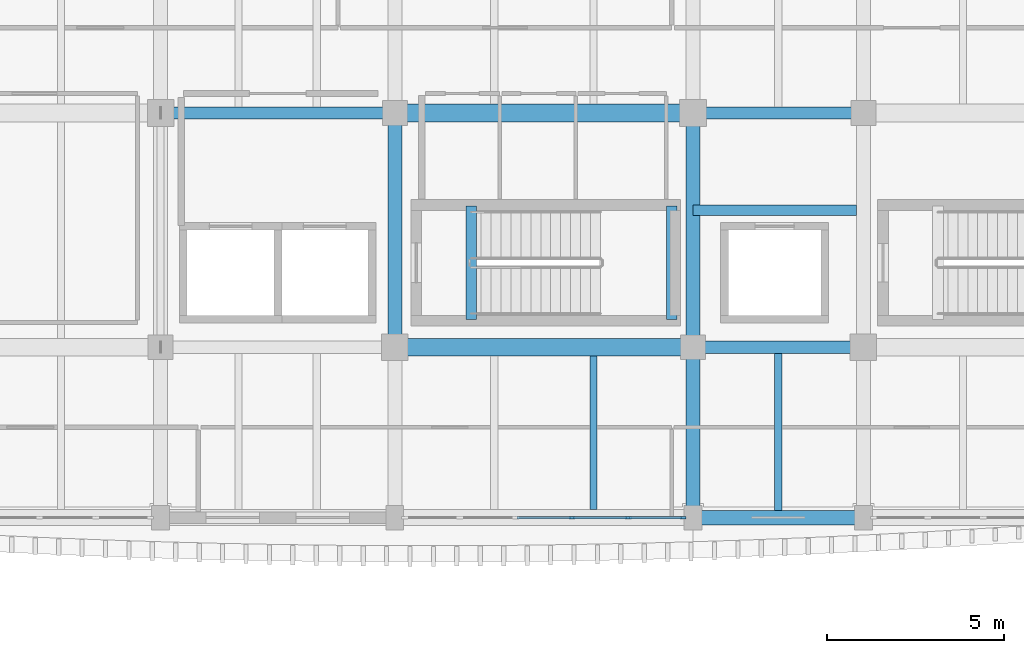
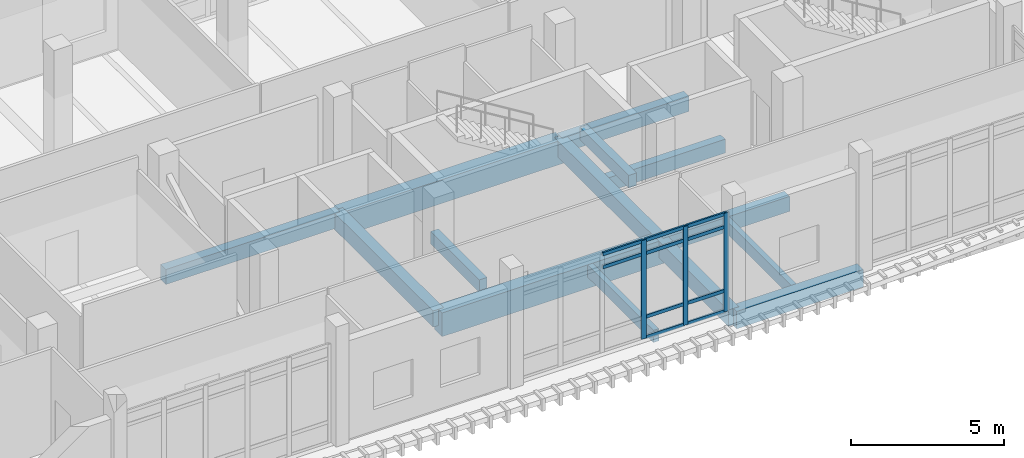
# One storey, part 5 of 50: 14 beams, 13 members, 1 element without a shape of its own.
"""IFC4 building model written with IfcOpenShell, lengths in metres."""

from ifc_helpers import new_model, si_unit, direction, frame, origin, origin_2d, place, context, subcontext, project, spatial, rectangle, extrude, material, material_profile, profile_set, type_object, element, aggregate, save


model = new_model("IFC4")

# Units and contexts
model_context = context("Model", 3, precision=1e-05, world=origin(), true_north=direction((0.0, 1.0)))
body_context = subcontext(model_context, "Body", "Model", "MODEL_VIEW")
ifc_project = project(units=[si_unit("LENGTHUNIT", "METRE"), si_unit("AREAUNIT", "SQUARE_METRE"), si_unit("VOLUMEUNIT", "CUBIC_METRE"), si_unit("PLANEANGLEUNIT", "RADIAN"), si_unit("MASSUNIT", "GRAM", prefix="KILO")], contexts=[model_context])

# Site, building, storey
site_placement = place(None, origin())
site = spatial("IfcSite", under=ifc_project, at=site_placement, CompositionType="ELEMENT")
building_placement = place(site_placement, origin())
building = spatial("IfcBuilding", under=site, at=building_placement, Name="Dornvale Research Institute", CompositionType="ELEMENT")
storey_placement = place(building_placement, frame((0.0, 0.0, 19.800048828125)))
storey = spatial("IfcBuildingStorey", under=building, at=storey_placement, Name="L04", CompositionType="ELEMENT", Elevation=19.800048828125)

# Beams
ifc_material_1 = material(Name="Concrete f'c 45 MPa (C35/45)", Category="concrete")
ifc_material_profile_1 = material_profile(ifc_material_1, rectangle(XDim=0.300048828125, YDim=0.5, at=origin_2d()), Name="RC 300x500")
ifc_profile_set_1 = profile_set([ifc_material_profile_1], Name="Concrete f'c 45 MPa (C35/45)")
beam_type_1 = type_object("IfcBeamType", Name="Beam_RC300x500_Trim", PredefinedType="BEAM", material=ifc_profile_set_1)
for number, where, z_axis, x_axis, name in (
    (1, (21.949951171875, 104.580078125, -0.25), (0.0, 1.0, 0.0), (-1.0, 0.0, 0.0), "L04 ST-1 stair landing trimmer beam #5"),
    (2, (27.60009765625, 104.580078125, 1.949951171875), (0.0, 1.0, 0.0), (-1.0, 0.0, 0.0), "L04 ST-1 half-landing support beam #18"),
):
    element("IfcBeam", number, at=place(storey_placement, frame(where, z_axis=z_axis, x_axis=x_axis)), inside=storey, type_object=beam_type_1, Name=name, PredefinedType="BEAM", context=body_context, shape_type="SweptSolid", body=[
        extrude(rectangle(XDim=0.300048828125, YDim=0.5, at=origin_2d()), origin(), (0.0, 0.0, 1.0), 3.199951171875),
    ])
ifc_material_2 = material(Name="Concrete f'c 45 MPa (C35/45)", Category="concrete")
ifc_material_profile_2 = material_profile(ifc_material_2, rectangle(XDim=0.35009765625, YDim=0.60009765625, at=origin_2d()), Name="RC 350x600")
ifc_profile_set_2 = profile_set([ifc_material_profile_2], Name="Concrete f'c 45 MPa (C35/45)")
beam_type_2 = type_object("IfcBeamType", Name="Beam_RC350x600_Floor", PredefinedType="BEAM", material=ifc_profile_set_2)
beam_1_placement = place(storey_placement, frame((28.199951171875, 103.800048828125, -0.300048828125), z_axis=(1.0, 0.0, 0.0), x_axis=(0.0, 1.0, 0.0)))
element("IfcBeam", 3, at=beam_1_placement, inside=storey, type_object=beam_type_2, Name="L04 primary girder #1124", PredefinedType="BEAM", context=body_context, shape_type="SweptSolid", body=[
    extrude(rectangle(XDim=0.35009765625, YDim=0.60009765625, at=origin_2d()), origin(), (0.0, 0.0, 1.0), 4.800048828125),
])
beam_2_placement = place(storey_placement, frame((13.199951171875, 110.39990234375, -0.300048828125), z_axis=(1.0, 0.0, 0.0), x_axis=(0.0, 1.0, 0.0)))
element("IfcBeam", 4, at=beam_2_placement, inside=storey, type_object=beam_type_2, Name="L04 primary girder #1128", PredefinedType="BEAM", context=body_context, shape_type="SweptSolid", body=[
    extrude(rectangle(XDim=0.35009765625, YDim=0.60009765625, at=origin_2d()), origin(), (0.0, 0.0, 1.0), 6.60009765625),
])
beam_3_placement = place(storey_placement, frame((28.199951171875, 110.39990234375, -0.300048828125), z_axis=(1.0, 0.0, 0.0), x_axis=(0.0, 1.0, 0.0)))
element("IfcBeam", 5, at=beam_3_placement, inside=storey, type_object=beam_type_2, Name="L04 primary girder #1130", PredefinedType="BEAM", context=body_context, shape_type="SweptSolid", body=[
    extrude(rectangle(XDim=0.35009765625, YDim=0.60009765625, at=origin_2d()), origin(), (0.0, 0.0, 1.0), 4.800048828125),
])
ifc_material_3 = material(Name="Concrete f'c 45 MPa (C35/45)", Category="concrete")
ifc_material_profile_3 = material_profile(ifc_material_3, rectangle(XDim=0.39990234375, YDim=0.64990234375, at=origin_2d()), Name="RC 400x650")
ifc_profile_set_3 = profile_set([ifc_material_profile_3], Name="Concrete f'c 45 MPa (C35/45)")
beam_type_3 = type_object("IfcBeamType", Name="Beam_RC400x650_Floor", PredefinedType="BEAM", material=ifc_profile_set_3)
beam_4_placement = place(storey_placement, frame((19.800048828125, 103.800048828125, -0.324951171875), z_axis=(0.0, 1.0, 0.0), x_axis=(-1.0, 0.0, 0.0)))
element("IfcBeam", 6, at=beam_4_placement, inside=storey, type_object=beam_type_3, Name="L04 transverse girder #1157", PredefinedType="BEAM", context=body_context, shape_type="SweptSolid", body=[
    extrude(rectangle(XDim=0.39990234375, YDim=0.64990234375, at=origin_2d()), origin(), (0.0, 0.0, 1.0), 6.599853515625),
])
beam_5_placement = place(storey_placement, frame((28.199951171875, 99.0, -0.324951171875), z_axis=(0.0, 1.0, 0.0), x_axis=(-1.0, 0.0, 0.0)))
element("IfcBeam", 7, at=beam_5_placement, inside=storey, type_object=beam_type_3, Name="L04 transverse girder #1160", PredefinedType="BEAM", context=body_context, shape_type="SweptSolid", body=[
    extrude(rectangle(XDim=0.39990234375, YDim=0.64990234375, at=origin_2d()), origin(), (0.0, 0.0, 1.0), 4.800048828125),
])
beam_6_placement = place(storey_placement, frame((28.199951171875, 103.800048828125, -0.324951171875), z_axis=(0.0, 1.0, 0.0), x_axis=(-1.0, 0.0, 0.0)))
element("IfcBeam", 8, at=beam_6_placement, inside=storey, type_object=beam_type_3, Name="L04 transverse girder #1161", PredefinedType="BEAM", context=body_context, shape_type="SweptSolid", body=[
    extrude(rectangle(XDim=0.39990234375, YDim=0.64990234375, at=origin_2d()), origin(), (0.0, 0.0, 1.0), 6.599853515625),
])
ifc_material_4 = material(Name="Concrete f'c 45 MPa (C35/45)", Category="concrete")
ifc_material_profile_4 = material_profile(ifc_material_4, rectangle(XDim=0.5, YDim=0.949951171875, at=origin_2d()), Name="RC 500x950")
ifc_profile_set_4 = profile_set([ifc_material_profile_4], Name="Concrete f'c 45 MPa (C35/45)")
beam_type_4 = type_object("IfcBeamType", Name="Beam_RC500x950_Girder", PredefinedType="BEAM", material=ifc_profile_set_4)
for number, where, z_axis, x_axis, name in (
    (9, (19.800048828125, 103.800048828125, -0.47509765625), (1.0, 0.0, 0.0), (0.0, 1.0, 0.0), "L04 primary girder #1123"),
    (10, (19.800048828125, 110.39990234375, -0.47509765625), (1.0, 0.0, 0.0), (0.0, 1.0, 0.0), "L04 primary girder #1129"),
):
    element("IfcBeam", number, at=place(storey_placement, frame(where, z_axis=z_axis, x_axis=x_axis)), inside=storey, type_object=beam_type_4, Name=name, PredefinedType="BEAM", context=body_context, shape_type="SweptSolid", body=[
        extrude(rectangle(XDim=0.5, YDim=0.949951171875, at=origin_2d()), origin(), (0.0, 0.0, 1.0), 8.39990234375),
    ])
ifc_material_5 = material(Name="Concrete f'c 45 MPa (C35/45)", Category="concrete")
ifc_material_profile_5 = material_profile(ifc_material_5, rectangle(XDim=0.199951171875, YDim=0.485107421875, at=origin_2d()), Name="RC 200x485")
ifc_profile_set_5 = profile_set([ifc_material_profile_5], Name="Concrete f'c 45 MPa (C35/45)")
beam_type_5 = type_object("IfcBeamType", Name="Joist_RC200x485_Rib", PredefinedType="JOIST", material=ifc_profile_set_5)
beam_7_placement = place(storey_placement, frame((25.39990234375, 99.22509765625, -0.242431640625), z_axis=(0.0, 1.0, 0.0), x_axis=(-1.0, 0.0, 0.0)))
element("IfcBeam", 11, at=beam_7_placement, inside=storey, type_object=beam_type_5, Name="L04 laboratory waffle joist #572", PredefinedType="JOIST", context=body_context, shape_type="SweptSolid", body=[
    extrude(rectangle(XDim=0.199951171875, YDim=0.485107421875, at=origin_2d()), origin(), (0.0, 0.0, 1.0), 4.324951171875),
])
beam_8_placement = place(storey_placement, frame((30.60009765625, 99.199951171875, -0.242431640625), z_axis=(0.0, 1.0, 0.0), x_axis=(-1.0, 0.0, 0.0)))
element("IfcBeam", 12, at=beam_8_placement, inside=storey, type_object=beam_type_5, Name="L04 laboratory waffle joist #577", PredefinedType="JOIST", context=body_context, shape_type="SweptSolid", body=[
    extrude(rectangle(XDim=0.199951171875, YDim=0.485107421875, at=origin_2d()), origin(), (0.0, 0.0, 1.0), 4.425048828125),
])
ifc_material_6 = material(Name="Concrete f'c 45 MPa (C35/45)", Category="concrete")
ifc_material_profile_6 = material_profile(ifc_material_6, rectangle(XDim=0.300048828125, YDim=0.550048828125, at=origin_2d()), Name="RC 300x550")
ifc_profile_set_6 = profile_set([ifc_material_profile_6], Name="Concrete f'c 45 MPa (C35/45)")
beam_type_6 = type_object("IfcBeamType", Name="Lintel_RC300x550_Core", PredefinedType="LINTEL", material=ifc_profile_set_6)
beam_9_placement = place(storey_placement, frame((28.199951171875, 107.659912109375, -0.275146484375), z_axis=(1.0, 0.0, 0.0), x_axis=(0.0, 1.0, 0.0)))
element("IfcBeam", 13, at=beam_9_placement, inside=storey, type_object=beam_type_6, Name="L04 core coupling lintel #2030", PredefinedType="LINTEL", context=body_context, shape_type="SweptSolid", body=[
    extrude(rectangle(XDim=0.300048828125, YDim=0.550048828125, at=origin_2d()), origin(), (0.0, 0.0, 1.0), 4.60009765625),
])

# Curtain wall, members
ifc_material_7 = material(Name="Low-E Argon Double Insulating Glazing Unit", Category="glass")
curtain_wall_type = type_object("IfcCurtainWallType", Name="UnitisedCurtainWall_V5_7900x3950", PredefinedType="USERDEFINED", material=ifc_material_7)
curtain_wall_placement = place(storey_placement, origin())
curtain_wall = element("IfcCurtainWall", 14, at=curtain_wall_placement, inside=storey, type_object=curtain_wall_type, Name="L04 V5 unitised curtain wall CW-24 #163", ObjectType="UNITISED CURTAIN WALL", PredefinedType="USERDEFINED")
ifc_material_8 = material(Name="Anodized Aluminum AA 6063-T6 Thermally Broken Frame", Category="aluminium")
ifc_material_profile_7 = material_profile(ifc_material_8, rectangle(XDim=0.06494140625, YDim=0.179931640625, at=origin_2d()), Name="ALU MULLION 65x180")
ifc_profile_set_7 = profile_set([ifc_material_profile_7], Name="Anodized Aluminum AA 6063-T6 Thermally Broken Frame")
member_type_1 = type_object("IfcMemberType", Name="Mullion_CW_65x180", PredefinedType="MULLION", material=ifc_profile_set_7)
member_1_placement = place(storey_placement, frame((27.91748046875, 99.0, 0.0), z_axis=(0.0, 0.0, 1.0), x_axis=(0.0, -1.0, 0.0)))
member_1 = element("IfcMember", 15, at=member_1_placement, type_object=member_type_1, Name="CW-24 mullion 1", PredefinedType="MULLION", context=body_context, shape_type="SweptSolid", body=[
    extrude(rectangle(XDim=0.06494140625, YDim=0.179931640625, at=origin_2d()), origin(), (0.0, 0.0, 1.0), 3.949951171875),
])
member_2_placement = place(storey_placement, frame((26.3701171875, 99.0, 0.0), z_axis=(0.0, 0.0, 1.0), x_axis=(0.0, -1.0, 0.0)))
member_2 = element("IfcMember", 16, at=member_2_placement, type_object=member_type_1, Name="CW-24 mullion 2", PredefinedType="MULLION", context=body_context, shape_type="SweptSolid", body=[
    extrude(rectangle(XDim=0.06494140625, YDim=0.179931640625, at=origin_2d()), origin(), (0.0, 0.0, 1.0), 3.949951171875),
])
member_3_placement = place(storey_placement, frame((24.7900390625, 99.0, 0.0), z_axis=(0.0, 0.0, 1.0), x_axis=(0.0, -1.0, 0.0)))
member_3 = element("IfcMember", 17, at=member_3_placement, type_object=member_type_1, Name="CW-24 mullion 3", PredefinedType="MULLION", context=body_context, shape_type="SweptSolid", body=[
    extrude(rectangle(XDim=0.06494140625, YDim=0.179931640625, at=origin_2d()), origin(), (0.0, 0.0, 1.0), 3.949951171875),
])

# Beam
ifc_material_9 = material(Name="Concrete f'c 45 MPa (C35/45)", Category="concrete")
ifc_material_profile_8 = material_profile(ifc_material_9, rectangle(XDim=0.39990234375, YDim=0.699951171875, at=origin_2d()), Name="RC 400x700")
ifc_profile_set_8 = profile_set([ifc_material_profile_8], Name="Concrete f'c 45 MPa (C35/45)")
beam_type_7 = type_object("IfcBeamType", Name="Spandrel_RC400x700_Ext", PredefinedType="SPANDREL", material=ifc_profile_set_8)
beam_10_placement = place(storey_placement, frame((28.199951171875, 99.0, -0.35009765625), z_axis=(1.0, 0.0, 0.0), x_axis=(0.0, 1.0, 0.0)))
element("IfcBeam", 18, at=beam_10_placement, inside=storey, type_object=beam_type_7, Name="L04 perimeter spandrel #1118", PredefinedType="SPANDREL", context=body_context, shape_type="SweptSolid", body=[
    extrude(rectangle(XDim=0.39990234375, YDim=0.699951171875, at=origin_2d()), origin(), (0.0, 0.0, 1.0), 4.800048828125),
])

# Member
ifc_material_10 = material(Name="Anodized Aluminum AA 6063-T6 Thermally Broken Frame", Category="aluminium")
ifc_material_profile_9 = material_profile(ifc_material_10, rectangle(XDim=0.06494140625, YDim=0.135009765625, at=origin_2d()), Name="ALU TRANSOM 65x135")
ifc_profile_set_9 = profile_set([ifc_material_profile_9], Name="Anodized Aluminum AA 6063-T6 Thermally Broken Frame")
member_type_2 = type_object("IfcMemberType", Name="Transom_CW_65x135", PredefinedType="USERDEFINED", material=ifc_profile_set_9)
member_4_placement = place(storey_placement, frame((27.885009765625, 99.0, 0.032470703125), z_axis=(-1.0, 0.0, 0.0), x_axis=(0.0, -1.0, 0.0)))
member_4 = element("IfcMember", 19, at=member_4_placement, type_object=member_type_2, Name="CW-24 transom 1.1", ObjectType="TRANSOM", PredefinedType="USERDEFINED", context=body_context, shape_type="SweptSolid", body=[
    extrude(rectangle(XDim=0.06494140625, YDim=0.135009765625, at=origin_2d()), origin(), (0.0, 0.0, 1.0), 1.482421875),
])

member_5_placement = place(storey_placement, frame((27.885009765625, 99.0, 0.849853515625), z_axis=(-1.0, 0.0, 0.0), x_axis=(0.0, -1.0, 0.0)))
member_5 = element("IfcMember", 20, at=member_5_placement, type_object=member_type_2, Name="CW-24 transom 1.2", ObjectType="TRANSOM", PredefinedType="USERDEFINED", context=body_context, shape_type="SweptSolid", body=[
    extrude(rectangle(XDim=0.06494140625, YDim=0.135009765625, at=origin_2d()), origin(), (0.0, 0.0, 1.0), 1.482421875),
])

member_6_placement = place(storey_placement, frame((27.885009765625, 99.0, 3.39990234375), z_axis=(-1.0, 0.0, 0.0), x_axis=(0.0, -1.0, 0.0)))
member_6 = element("IfcMember", 21, at=member_6_placement, type_object=member_type_2, Name="CW-24 transom 1.3", ObjectType="TRANSOM", PredefinedType="USERDEFINED", context=body_context, shape_type="SweptSolid", body=[
    extrude(rectangle(XDim=0.06494140625, YDim=0.135009765625, at=origin_2d()), origin(), (0.0, 0.0, 1.0), 1.482421875),
])

member_7_placement = place(storey_placement, frame((27.885009765625, 99.0, 3.91748046875), z_axis=(-1.0, 0.0, 0.0), x_axis=(0.0, -1.0, 0.0)))
member_7 = element("IfcMember", 22, at=member_7_placement, type_object=member_type_2, Name="CW-24 transom 1.4", ObjectType="TRANSOM", PredefinedType="USERDEFINED", context=body_context, shape_type="SweptSolid", body=[
    extrude(rectangle(XDim=0.06494140625, YDim=0.135009765625, at=origin_2d()), origin(), (0.0, 0.0, 1.0), 1.482421875),
])

member_8_placement = place(storey_placement, frame((26.33740234375, 99.0, 0.032470703125), z_axis=(-1.0, 0.0, 0.0), x_axis=(0.0, -1.0, 0.0)))
member_8 = element("IfcMember", 23, at=member_8_placement, type_object=member_type_2, Name="CW-24 transom 2.1", ObjectType="TRANSOM", PredefinedType="USERDEFINED", context=body_context, shape_type="SweptSolid", body=[
    extrude(rectangle(XDim=0.06494140625, YDim=0.135009765625, at=origin_2d()), origin(), (0.0, 0.0, 1.0), 1.514892578125),
])

member_9_placement = place(storey_placement, frame((26.33740234375, 99.0, 0.849853515625), z_axis=(-1.0, 0.0, 0.0), x_axis=(0.0, -1.0, 0.0)))
member_9 = element("IfcMember", 24, at=member_9_placement, type_object=member_type_2, Name="CW-24 transom 2.2", ObjectType="TRANSOM", PredefinedType="USERDEFINED", context=body_context, shape_type="SweptSolid", body=[
    extrude(rectangle(XDim=0.06494140625, YDim=0.135009765625, at=origin_2d()), origin(), (0.0, 0.0, 1.0), 1.514892578125),
])

member_10_placement = place(storey_placement, frame((26.33740234375, 99.0, 3.39990234375), z_axis=(-1.0, 0.0, 0.0), x_axis=(0.0, -1.0, 0.0)))
member_10 = element("IfcMember", 25, at=member_10_placement, type_object=member_type_2, Name="CW-24 transom 2.3", ObjectType="TRANSOM", PredefinedType="USERDEFINED", context=body_context, shape_type="SweptSolid", body=[
    extrude(rectangle(XDim=0.06494140625, YDim=0.135009765625, at=origin_2d()), origin(), (0.0, 0.0, 1.0), 1.514892578125),
])

member_11_placement = place(storey_placement, frame((26.33740234375, 99.0, 3.91748046875), z_axis=(-1.0, 0.0, 0.0), x_axis=(0.0, -1.0, 0.0)))
member_11 = element("IfcMember", 26, at=member_11_placement, type_object=member_type_2, Name="CW-24 transom 2.4", ObjectType="TRANSOM", PredefinedType="USERDEFINED", context=body_context, shape_type="SweptSolid", body=[
    extrude(rectangle(XDim=0.06494140625, YDim=0.135009765625, at=origin_2d()), origin(), (0.0, 0.0, 1.0), 1.514892578125),
])

member_12_placement = place(storey_placement, frame((24.757568359375, 99.0, 3.39990234375), z_axis=(-1.0, 0.0, 0.0), x_axis=(0.0, -1.0, 0.0)))
member_12 = element("IfcMember", 27, at=member_12_placement, type_object=member_type_2, Name="CW-24 transom 3.3", ObjectType="TRANSOM", PredefinedType="USERDEFINED", context=body_context, shape_type="SweptSolid", body=[
    extrude(rectangle(XDim=0.06494140625, YDim=0.135009765625, at=origin_2d()), origin(), (0.0, 0.0, 1.0), 1.51513671875),
])

member_13_placement = place(storey_placement, frame((24.757568359375, 99.0, 3.91748046875), z_axis=(-1.0, 0.0, 0.0), x_axis=(0.0, -1.0, 0.0)))
member_13 = element("IfcMember", 28, at=member_13_placement, type_object=member_type_2, Name="CW-24 transom 3.4", ObjectType="TRANSOM", PredefinedType="USERDEFINED", context=body_context, shape_type="SweptSolid", body=[
    extrude(rectangle(XDim=0.06494140625, YDim=0.135009765625, at=origin_2d()), origin(), (0.0, 0.0, 1.0), 1.51513671875),
])

aggregate(curtain_wall, [member_1, member_2, member_3, member_4, member_5, member_6, member_7, member_8, member_9, member_10, member_11, member_12, member_13])

save(model, "model.ifc")
